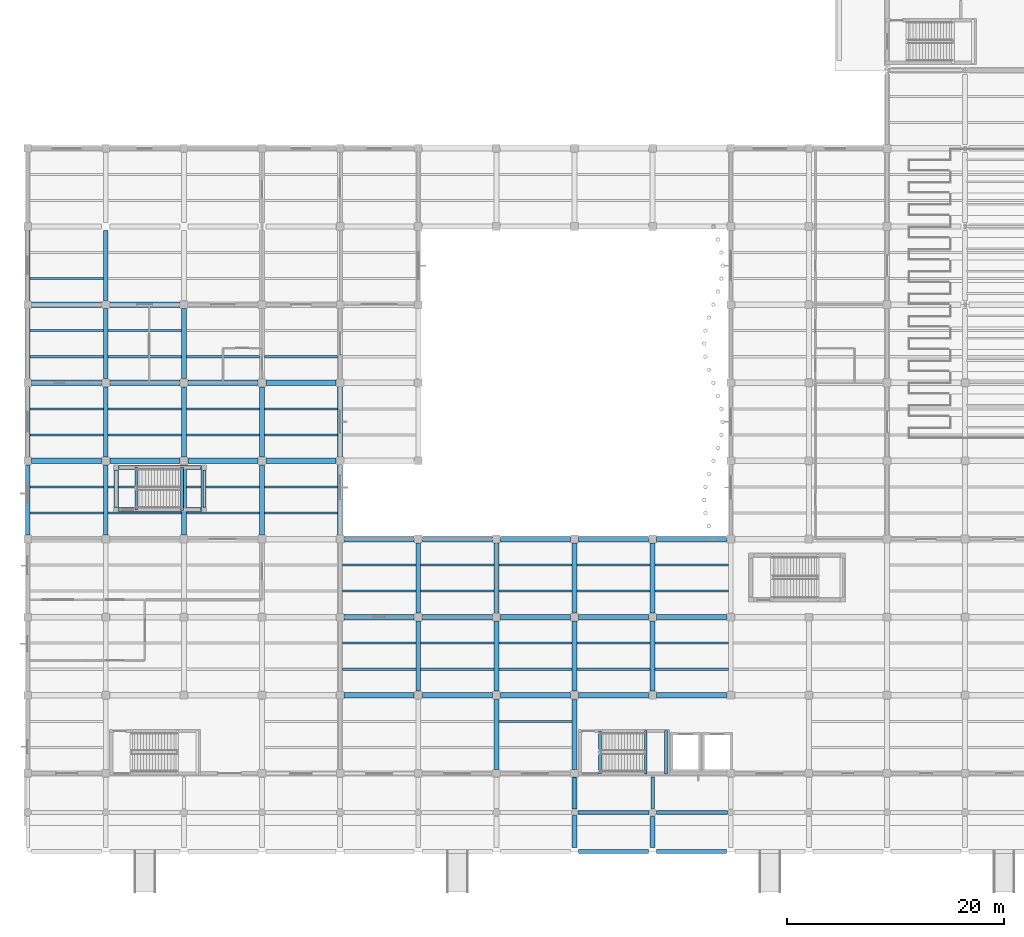
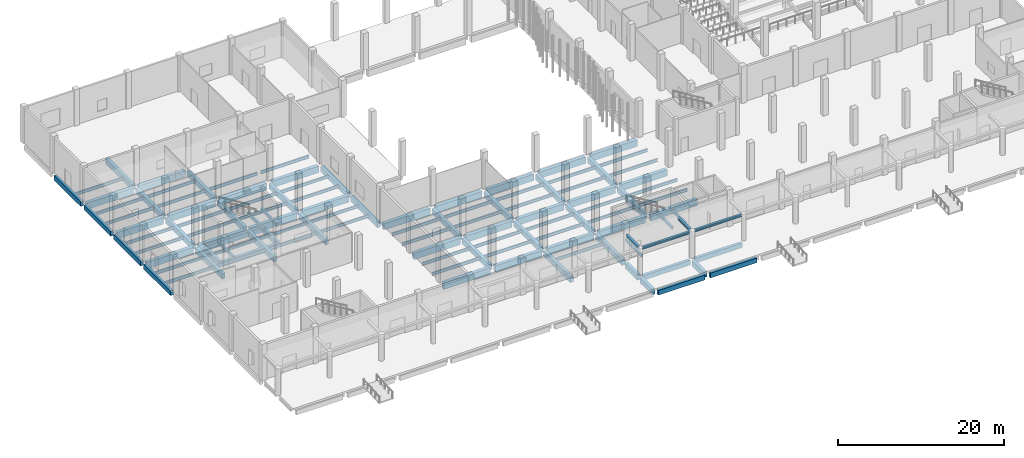
# One storey, part 14 of 46: 115 beams.
"""IFC4 building model written with IfcOpenShell, lengths in metres."""

from ifc_helpers import new_model, si_unit, direction, frame, origin, origin_2d, place, context, subcontext, project, spatial, rectangle, i_section, extrude, material, material_profile, profile_set, type_object, element, save


model = new_model("IFC4")

# Units and contexts
model_context = context("Model", 3, precision=1e-05, world=origin(), true_north=direction((0.0, 1.0)))
body_context = subcontext(model_context, "Body", "Model", "MODEL_VIEW")
ifc_project = project(units=[si_unit("LENGTHUNIT", "METRE"), si_unit("AREAUNIT", "SQUARE_METRE"), si_unit("VOLUMEUNIT", "CUBIC_METRE"), si_unit("PLANEANGLEUNIT", "RADIAN"), si_unit("MASSUNIT", "GRAM", prefix="KILO"), si_unit("THERMODYNAMICTEMPERATUREUNIT", "KELVIN"), si_unit("POWERUNIT", "WATT")], contexts=[model_context])

# Site, building, storey
site_placement = place(None, origin())
site = spatial("IfcSite", under=ifc_project, at=site_placement, CompositionType="ELEMENT")
building_placement = place(site_placement, origin())
building = spatial("IfcBuilding", under=site, at=building_placement, Name="Kaldorven Railside Theatre", CompositionType="ELEMENT")
storey_placement = place(building_placement, origin())
storey = spatial("IfcBuildingStorey", under=building, at=storey_placement, Name="L00", CompositionType="ELEMENT", Elevation=0.0)

# Beams
ifc_material_1 = material(Name="Steel S355", Category="steel")
ifc_material_profile_1 = material_profile(ifc_material_1, i_section(OverallWidth=0.300048828125, OverallDepth=0.340087890625, WebThickness=0.011962890625, FlangeThickness=0.021484375, at=origin_2d()), Name="HEB 340")
ifc_profile_set_1 = profile_set([ifc_material_profile_1], Name="Steel S355")
beam_type_1 = type_object("IfcBeamType", Name="BM-HEB340", PredefinedType="SPANDREL", material=ifc_profile_set_1)
beam_1_placement = place(storey_placement, frame((58.39990234375, 15.89990234375, 3.739990234375), z_axis=(0.0, 1.0, 0.0), x_axis=(-1.0, 0.0, 0.0)))
element("IfcBeam", 1, at=beam_1_placement, inside=storey, type_object=beam_type_1, Name="Forecourt Canopy Outrigger Beam CANB-08", PredefinedType="SPANDREL", context=body_context, shape_type="SweptSolid", body=[
    extrude(i_section(OverallWidth=0.300048828125, OverallDepth=0.340087890625, WebThickness=0.011962890625, FlangeThickness=0.021484375, at=origin_2d()), origin(), (0.0, 0.0, 1.0), 2.9501953125),
])
beam_2_placement = place(storey_placement, frame((65.60009765625, 15.949951171875, 3.739990234375), z_axis=(0.0, 1.0, 0.0), x_axis=(-1.0, 0.0, 0.0)))
element("IfcBeam", 2, at=beam_2_placement, inside=storey, type_object=beam_type_1, Name="Forecourt Canopy Outrigger Beam CANB-09", PredefinedType="SPANDREL", context=body_context, shape_type="SweptSolid", body=[
    extrude(i_section(OverallWidth=0.300048828125, OverallDepth=0.340087890625, WebThickness=0.011962890625, FlangeThickness=0.021484375, at=origin_2d()), origin(), (0.0, 0.0, 1.0), 2.900146484375),
])
for number, where, z_axis, x_axis, name in (
    (3, (58.699951171875, 15.60009765625, 3.739990234375), (1.0, 0.0, 0.0), (0.0, 1.0, 0.0), "Forecourt Canopy Front Edge Girder CANE-08"),
    (4, (65.949951171875, 15.60009765625, 3.739990234375), (1.0, 0.0, 0.0), (0.0, 1.0, 0.0), "Forecourt Canopy Front Edge Girder CANE-09"),
):
    element("IfcBeam", number, at=place(storey_placement, frame(where, z_axis=z_axis, x_axis=x_axis)), inside=storey, type_object=beam_type_1, Name=name, PredefinedType="SPANDREL", context=body_context, shape_type="SweptSolid", body=[
        extrude(i_section(OverallWidth=0.300048828125, OverallDepth=0.340087890625, WebThickness=0.011962890625, FlangeThickness=0.021484375, at=origin_2d()), origin(), (0.0, 0.0, 1.0), 6.550048828125),
    ])
ifc_material_profile_2 = material_profile(ifc_material_1, i_section(OverallWidth=0.18994140625, OverallDepth=0.449951171875, WebThickness=0.009521484375, FlangeThickness=0.0146484375, at=origin_2d()), Name="IPE 450")
ifc_profile_set_2 = profile_set([ifc_material_profile_2], Name="Steel S355")
beam_type_2 = type_object("IfcBeamType", Name="BM-IPE450", PredefinedType="JOIST", material=ifc_profile_set_2)
for number, where, z_axis, x_axis, name in (
    (5, (51.425048828125, 24.0, -0.544921875), (1.0, 0.0, 0.0), (0.0, 1.0, 0.0), "L00 Secondary Floor Joist JG-L00-051-0240"),
    (6, (37.02490234375, 28.800048828125, -0.544921875), (1.0, 0.0, 0.0), (0.0, 1.0, 0.0), "L00 Secondary Floor Joist JG-L00-036-0288"),
    (7, (37.02490234375, 31.199951171875, -0.544921875), (1.0, 0.0, 0.0), (0.0, 1.0, 0.0), "L00 Secondary Floor Joist JG-L00-036-0312"),
    (8, (44.22509765625, 28.800048828125, -0.544921875), (1.0, 0.0, 0.0), (0.0, 1.0, 0.0), "L00 Secondary Floor Joist JG-L00-044-0288"),
    (9, (44.22509765625, 31.199951171875, -0.544921875), (1.0, 0.0, 0.0), (0.0, 1.0, 0.0), "L00 Secondary Floor Joist JG-L00-044-0312"),
    (10, (51.425048828125, 28.800048828125, -0.544921875), (1.0, 0.0, 0.0), (0.0, 1.0, 0.0), "L00 Secondary Floor Joist JG-L00-051-0288"),
    (11, (51.425048828125, 31.199951171875, -0.544921875), (1.0, 0.0, 0.0), (0.0, 1.0, 0.0), "L00 Secondary Floor Joist JG-L00-051-0312"),
    (12, (58.625, 28.800048828125, -0.544921875), (1.0, 0.0, 0.0), (0.0, 1.0, 0.0), "L00 Secondary Floor Joist JG-L00-058-0288"),
    (13, (58.625, 31.199951171875, -0.544921875), (1.0, 0.0, 0.0), (0.0, 1.0, 0.0), "L00 Secondary Floor Joist JG-L00-058-0312"),
    (14, (65.824951171875, 28.800048828125, -0.544921875), (1.0, 0.0, 0.0), (0.0, 1.0, 0.0), "L00 Secondary Floor Joist JG-L00-065-0288"),
    (15, (65.824951171875, 31.199951171875, -0.544921875), (1.0, 0.0, 0.0), (0.0, 1.0, 0.0), "L00 Secondary Floor Joist JG-L00-065-0312"),
    (16, (37.02490234375, 36.0, -0.544921875), (1.0, 0.0, 0.0), (0.0, 1.0, 0.0), "L00 Secondary Floor Joist JG-L00-036-0360"),
    (17, (37.02490234375, 38.39990234375, -0.544921875), (1.0, 0.0, 0.0), (0.0, 1.0, 0.0), "L00 Secondary Floor Joist JG-L00-036-0384"),
    (18, (44.22509765625, 36.0, -0.544921875), (1.0, 0.0, 0.0), (0.0, 1.0, 0.0), "L00 Secondary Floor Joist JG-L00-044-0360"),
    (19, (44.22509765625, 38.39990234375, -0.544921875), (1.0, 0.0, 0.0), (0.0, 1.0, 0.0), "L00 Secondary Floor Joist JG-L00-044-0384"),
    (20, (51.425048828125, 36.0, -0.544921875), (1.0, 0.0, 0.0), (0.0, 1.0, 0.0), "L00 Secondary Floor Joist JG-L00-051-0360"),
    (21, (51.425048828125, 38.39990234375, -0.544921875), (1.0, 0.0, 0.0), (0.0, 1.0, 0.0), "L00 Secondary Floor Joist JG-L00-051-0384"),
    (22, (58.625, 36.0, -0.544921875), (1.0, 0.0, 0.0), (0.0, 1.0, 0.0), "L00 Secondary Floor Joist JG-L00-058-0360"),
    (23, (58.625, 38.39990234375, -0.544921875), (1.0, 0.0, 0.0), (0.0, 1.0, 0.0), "L00 Secondary Floor Joist JG-L00-058-0384"),
    (24, (65.824951171875, 36.0, -0.544921875), (1.0, 0.0, 0.0), (0.0, 1.0, 0.0), "L00 Secondary Floor Joist JG-L00-065-0360"),
    (25, (65.824951171875, 38.39990234375, -0.544921875), (1.0, 0.0, 0.0), (0.0, 1.0, 0.0), "L00 Secondary Floor Joist JG-L00-065-0384"),
):
    element("IfcBeam", number, at=place(storey_placement, frame(where, z_axis=z_axis, x_axis=x_axis)), inside=storey, type_object=beam_type_2, Name=name, PredefinedType="JOIST", context=body_context, shape_type="SweptSolid", body=[
        extrude(i_section(OverallWidth=0.18994140625, OverallDepth=0.449951171875, WebThickness=0.009521484375, FlangeThickness=0.0146484375, at=origin_2d()), origin(), (0.0, 0.0, 1.0), 6.75),
    ])
for number, where, z_axis, x_axis, name in (
    (26, (8.199951171875, 43.199951171875, -0.52490234375), (1.0, 0.0, 0.0), (0.0, 1.0, 0.0), "L00 Secondary Floor Joist JG-L00-008-0432"),
    (27, (8.199951171875, 45.60009765625, -0.52490234375), (1.0, 0.0, 0.0), (0.0, 1.0, 0.0), "L00 Secondary Floor Joist JG-L00-008-0456"),
):
    element("IfcBeam", number, at=place(storey_placement, frame(where, z_axis=z_axis, x_axis=x_axis)), inside=storey, type_object=beam_type_2, Name=name, PredefinedType="JOIST", context=body_context, shape_type="SweptSolid", body=[
        extrude(i_section(OverallWidth=0.18994140625, OverallDepth=0.449951171875, WebThickness=0.009521484375, FlangeThickness=0.0146484375, at=origin_2d()), origin(), (0.0, 0.0, 1.0), 6.775146484375),
    ])
for number, where, z_axis, x_axis, name in (
    (28, (15.425048828125, 43.199951171875, -0.52490234375), (1.0, 0.0, 0.0), (0.0, 1.0, 0.0), "L00 Secondary Floor Joist JG-L00-015-0432"),
    (29, (15.425048828125, 45.60009765625, -0.52490234375), (1.0, 0.0, 0.0), (0.0, 1.0, 0.0), "L00 Secondary Floor Joist JG-L00-015-0456"),
    (30, (22.625, 43.199951171875, -0.52490234375), (1.0, 0.0, 0.0), (0.0, 1.0, 0.0), "L00 Secondary Floor Joist JG-L00-022-0432"),
    (31, (22.625, 45.60009765625, -0.52490234375), (1.0, 0.0, 0.0), (0.0, 1.0, 0.0), "L00 Secondary Floor Joist JG-L00-022-0456"),
    (32, (29.824951171875, 43.199951171875, -0.52490234375), (1.0, 0.0, 0.0), (0.0, 1.0, 0.0), "L00 Secondary Floor Joist JG-L00-029-0432"),
    (33, (29.824951171875, 45.60009765625, -0.52490234375), (1.0, 0.0, 0.0), (0.0, 1.0, 0.0), "L00 Secondary Floor Joist JG-L00-029-0456"),
):
    element("IfcBeam", number, at=place(storey_placement, frame(where, z_axis=z_axis, x_axis=x_axis)), inside=storey, type_object=beam_type_2, Name=name, PredefinedType="JOIST", context=body_context, shape_type="SweptSolid", body=[
        extrude(i_section(OverallWidth=0.18994140625, OverallDepth=0.449951171875, WebThickness=0.009521484375, FlangeThickness=0.0146484375, at=origin_2d()), origin(), (0.0, 0.0, 1.0), 6.75),
    ])
for number, where, z_axis, x_axis, name in (
    (34, (8.199951171875, 50.39990234375, -0.52490234375), (1.0, 0.0, 0.0), (0.0, 1.0, 0.0), "L00 Secondary Floor Joist JG-L00-008-0504"),
    (35, (8.199951171875, 52.800048828125, -0.52490234375), (1.0, 0.0, 0.0), (0.0, 1.0, 0.0), "L00 Secondary Floor Joist JG-L00-008-0528"),
):
    element("IfcBeam", number, at=place(storey_placement, frame(where, z_axis=z_axis, x_axis=x_axis)), inside=storey, type_object=beam_type_2, Name=name, PredefinedType="JOIST", context=body_context, shape_type="SweptSolid", body=[
        extrude(i_section(OverallWidth=0.18994140625, OverallDepth=0.449951171875, WebThickness=0.009521484375, FlangeThickness=0.0146484375, at=origin_2d()), origin(), (0.0, 0.0, 1.0), 6.775146484375),
    ])
for number, where, z_axis, x_axis, name in (
    (36, (15.425048828125, 50.39990234375, -0.52490234375), (1.0, 0.0, 0.0), (0.0, 1.0, 0.0), "L00 Secondary Floor Joist JG-L00-015-0504"),
    (37, (15.425048828125, 52.800048828125, -0.52490234375), (1.0, 0.0, 0.0), (0.0, 1.0, 0.0), "L00 Secondary Floor Joist JG-L00-015-0528"),
    (38, (22.625, 50.39990234375, -0.52490234375), (1.0, 0.0, 0.0), (0.0, 1.0, 0.0), "L00 Secondary Floor Joist JG-L00-022-0504"),
    (39, (22.625, 52.800048828125, -0.52490234375), (1.0, 0.0, 0.0), (0.0, 1.0, 0.0), "L00 Secondary Floor Joist JG-L00-022-0528"),
    (40, (29.824951171875, 50.39990234375, -0.52490234375), (1.0, 0.0, 0.0), (0.0, 1.0, 0.0), "L00 Secondary Floor Joist JG-L00-029-0504"),
    (41, (29.824951171875, 52.800048828125, -0.52490234375), (1.0, 0.0, 0.0), (0.0, 1.0, 0.0), "L00 Secondary Floor Joist JG-L00-029-0528"),
):
    element("IfcBeam", number, at=place(storey_placement, frame(where, z_axis=z_axis, x_axis=x_axis)), inside=storey, type_object=beam_type_2, Name=name, PredefinedType="JOIST", context=body_context, shape_type="SweptSolid", body=[
        extrude(i_section(OverallWidth=0.18994140625, OverallDepth=0.449951171875, WebThickness=0.009521484375, FlangeThickness=0.0146484375, at=origin_2d()), origin(), (0.0, 0.0, 1.0), 6.75),
    ])
for number, where, z_axis, x_axis, name in (
    (42, (8.199951171875, 57.60009765625, -0.52490234375), (1.0, 0.0, 0.0), (0.0, 1.0, 0.0), "L00 Secondary Floor Joist JG-L00-008-0576"),
    (43, (8.199951171875, 60.0, -0.52490234375), (1.0, 0.0, 0.0), (0.0, 1.0, 0.0), "L00 Secondary Floor Joist JG-L00-008-0600"),
):
    element("IfcBeam", number, at=place(storey_placement, frame(where, z_axis=z_axis, x_axis=x_axis)), inside=storey, type_object=beam_type_2, Name=name, PredefinedType="JOIST", context=body_context, shape_type="SweptSolid", body=[
        extrude(i_section(OverallWidth=0.18994140625, OverallDepth=0.449951171875, WebThickness=0.009521484375, FlangeThickness=0.0146484375, at=origin_2d()), origin(), (0.0, 0.0, 1.0), 6.775146484375),
    ])
for number, where, z_axis, x_axis, name in (
    (44, (15.425048828125, 57.60009765625, -0.52490234375), (1.0, 0.0, 0.0), (0.0, 1.0, 0.0), "L00 Secondary Floor Joist JG-L00-015-0576"),
    (45, (15.425048828125, 60.0, -0.52490234375), (1.0, 0.0, 0.0), (0.0, 1.0, 0.0), "L00 Secondary Floor Joist JG-L00-015-0600"),
    (46, (22.625, 57.60009765625, -0.52490234375), (1.0, 0.0, 0.0), (0.0, 1.0, 0.0), "L00 Secondary Floor Joist JG-L00-022-0576"),
    (47, (29.824951171875, 57.60009765625, -0.52490234375), (1.0, 0.0, 0.0), (0.0, 1.0, 0.0), "L00 Secondary Floor Joist JG-L00-029-0576"),
):
    element("IfcBeam", number, at=place(storey_placement, frame(where, z_axis=z_axis, x_axis=x_axis)), inside=storey, type_object=beam_type_2, Name=name, PredefinedType="JOIST", context=body_context, shape_type="SweptSolid", body=[
        extrude(i_section(OverallWidth=0.18994140625, OverallDepth=0.449951171875, WebThickness=0.009521484375, FlangeThickness=0.0146484375, at=origin_2d()), origin(), (0.0, 0.0, 1.0), 6.75),
    ])
beam_3_placement = place(storey_placement, frame((8.199951171875, 64.800048828125, -0.52490234375), z_axis=(1.0, 0.0, 0.0), x_axis=(0.0, 1.0, 0.0)))
element("IfcBeam", 48, at=beam_3_placement, inside=storey, type_object=beam_type_2, Name="L00 Secondary Floor Joist JG-L00-008-0648", PredefinedType="JOIST", context=body_context, shape_type="SweptSolid", body=[
    extrude(i_section(OverallWidth=0.18994140625, OverallDepth=0.449951171875, WebThickness=0.009521484375, FlangeThickness=0.0146484375, at=origin_2d()), origin(), (0.0, 0.0, 1.0), 6.775146484375),
])
ifc_material_2 = material(Name="Concrete C40/50", Category="concrete")
ifc_material_profile_3 = material_profile(ifc_material_2, rectangle(XDim=0.25, YDim=0.39990234375, at=origin_2d()), Name="RC 250x400")
ifc_profile_set_3 = profile_set([ifc_material_profile_3], Name="Concrete C40/50")
beam_type_3 = type_object("IfcBeamType", Name="BM-RC250x400", PredefinedType="LINTEL", material=ifc_profile_set_3)
beam_4_placement = place(storey_placement, frame((18.0, 43.469970703125, -0.344970703125), z_axis=(0.0, 1.0, 0.0), x_axis=(-1.0, 0.0, 0.0)))
element("IfcBeam", 49, at=beam_4_placement, inside=storey, type_object=beam_type_3, Name="Stair ST-02 L00 Landing Trimmer Beam", PredefinedType="LINTEL", context=body_context, shape_type="SweptSolid", body=[
    extrude(rectangle(XDim=0.25, YDim=0.39990234375, at=origin_2d()), origin(), (0.0, 0.0, 1.0), 3.9599609375),
])
for number, where, z_axis, x_axis, name in (
    (50, (22.22509765625, 43.43994140625, 2.300048828125), (0.0, 1.0, 0.0), (-1.0, 0.0, 0.0), "Stair ST-02 L00 Half-Landing Bearer"),
    (51, (24.080078125, 43.43994140625, 2.300048828125), (0.0, 1.0, 0.0), (-1.0, 0.0, 0.0), "Stair ST-02 L00 Half-Landing Bearer"),
):
    element("IfcBeam", number, at=place(storey_placement, frame(where, z_axis=z_axis, x_axis=x_axis)), inside=storey, type_object=beam_type_3, Name=name, PredefinedType="LINTEL", context=body_context, shape_type="SweptSolid", body=[
        extrude(rectangle(XDim=0.25, YDim=0.39990234375, at=origin_2d()), origin(), (0.0, 0.0, 1.0), 4.02001953125),
    ])
beam_5_placement = place(storey_placement, frame((60.75, 19.169921875, -0.344970703125), z_axis=(0.0, 1.0, 0.0), x_axis=(-1.0, 0.0, 0.0)))
element("IfcBeam", 52, at=beam_5_placement, inside=storey, type_object=beam_type_3, Name="Stair ST-03 L00 Landing Trimmer Beam", PredefinedType="LINTEL", context=body_context, shape_type="SweptSolid", body=[
    extrude(rectangle(XDim=0.25, YDim=0.39990234375, at=origin_2d()), origin(), (0.0, 0.0, 1.0), 3.9599609375),
])
for number, where, z_axis, x_axis, name in (
    (53, (64.97509765625, 19.139892578125, 2.300048828125), (0.0, 1.0, 0.0), (-1.0, 0.0, 0.0), "Stair ST-03 L00 Half-Landing Bearer"),
    (54, (66.830078125, 19.139892578125, 2.300048828125), (0.0, 1.0, 0.0), (-1.0, 0.0, 0.0), "Stair ST-03 L00 Half-Landing Bearer"),
):
    element("IfcBeam", number, at=place(storey_placement, frame(where, z_axis=z_axis, x_axis=x_axis)), inside=storey, type_object=beam_type_3, Name=name, PredefinedType="LINTEL", context=body_context, shape_type="SweptSolid", body=[
        extrude(rectangle(XDim=0.25, YDim=0.39990234375, at=origin_2d()), origin(), (0.0, 0.0, 1.0), 4.02001953125),
    ])
ifc_material_profile_4 = material_profile(ifc_material_2, rectangle(XDim=0.39990234375, YDim=0.699951171875, at=origin_2d()), Name="RC 400x700")
ifc_profile_set_4 = profile_set([ifc_material_profile_4], Name="Concrete C40/50")
beam_type_4 = type_object("IfcBeamType", Name="BM-RC400x700", PredefinedType="BEAM", material=ifc_profile_set_4)
beam_6_placement = place(storey_placement, frame((58.77490234375, 12.0, -0.60009765625), z_axis=(1.0, 0.0, 0.0), x_axis=(0.0, 1.0, 0.0)))
element("IfcBeam", 55, at=beam_6_placement, inside=storey, type_object=beam_type_4, Name="L00 Girder BGX-L00-058-012", PredefinedType="BEAM", context=body_context, shape_type="SweptSolid", body=[
    extrude(rectangle(XDim=0.39990234375, YDim=0.699951171875, at=origin_2d()), origin(), (0.0, 0.0, 1.0), 6.4501953125),
])
beam_7_placement = place(storey_placement, frame((65.97509765625, 12.0, -0.60009765625), z_axis=(1.0, 0.0, 0.0), x_axis=(0.0, 1.0, 0.0)))
element("IfcBeam", 56, at=beam_7_placement, inside=storey, type_object=beam_type_4, Name="L00 Girder BGX-L00-065-012", PredefinedType="BEAM", context=body_context, shape_type="SweptSolid", body=[
    extrude(rectangle(XDim=0.39990234375, YDim=0.699951171875, at=origin_2d()), origin(), (0.0, 0.0, 1.0), 6.449951171875),
])
for number, where, z_axis, x_axis, name in (
    (57, (58.699951171875, 15.60009765625, -0.60009765625), (1.0, 0.0, 0.0), (0.0, 1.0, 0.0), "L00 Girder BGX-L00-058-015"),
    (58, (65.949951171875, 15.60009765625, -0.60009765625), (1.0, 0.0, 0.0), (0.0, 1.0, 0.0), "L00 Girder BGX-L00-065-015"),
):
    element("IfcBeam", number, at=place(storey_placement, frame(where, z_axis=z_axis, x_axis=x_axis)), inside=storey, type_object=beam_type_4, Name=name, PredefinedType="BEAM", context=body_context, shape_type="SweptSolid", body=[
        extrude(rectangle(XDim=0.39990234375, YDim=0.699951171875, at=origin_2d()), origin(), (0.0, 0.0, 1.0), 6.550048828125),
    ])
for number, where, z_axis, x_axis, name in (
    (59, (8.0, 41.175048828125, -0.64990234375), (0.0, 1.0, 0.0), (-1.0, 0.0, 0.0), "L00 Girder BGY-L00-008-040-72"),
    (60, (8.0, 48.375, -0.64990234375), (0.0, 1.0, 0.0), (-1.0, 0.0, 0.0), "L00 Girder BGY-L00-008-048-72"),
    (61, (8.0, 55.574951171875, -0.64990234375), (0.0, 1.0, 0.0), (-1.0, 0.0, 0.0), "L00 Girder BGY-L00-008-055-72"),
):
    element("IfcBeam", number, at=place(storey_placement, frame(where, z_axis=z_axis, x_axis=x_axis)), inside=storey, type_object=beam_type_4, Name=name, PredefinedType="BEAM", context=body_context, shape_type="SweptSolid", body=[
        extrude(rectangle(XDim=0.39990234375, YDim=0.699951171875, at=origin_2d()), origin(), (0.0, 0.0, 1.0), 6.449951171875),
    ])
beam_8_placement = place(storey_placement, frame((8.0, 62.77490234375, -0.64990234375), z_axis=(0.0, 1.0, 0.0), x_axis=(-1.0, 0.0, 0.0)))
element("IfcBeam", 62, at=beam_8_placement, inside=storey, type_object=beam_type_4, Name="L00 Girder BGY-L00-008-062-72", PredefinedType="BEAM", context=body_context, shape_type="SweptSolid", body=[
    extrude(rectangle(XDim=0.39990234375, YDim=0.699951171875, at=origin_2d()), origin(), (0.0, 0.0, 1.0), 6.4501953125),
])
beam_9_placement = place(storey_placement, frame((16.375, 43.5, -0.64990234375), z_axis=(1.0, 0.0, 0.0), x_axis=(0.0, 1.0, 0.0)))
element("IfcBeam", 63, at=beam_9_placement, inside=storey, type_object=beam_type_4, Name="Core ST-02 L00 Ring Girder", PredefinedType="BEAM", context=body_context, shape_type="SweptSolid", body=[
    extrude(rectangle(XDim=0.39990234375, YDim=0.699951171875, at=origin_2d()), origin(), (0.0, 0.0, 1.0), 7.64990234375),
])
beam_10_placement = place(storey_placement, frame((24.25, 43.72509765625, -0.64990234375), z_axis=(0.0, 1.0, 0.0), x_axis=(-1.0, 0.0, 0.0)))
element("IfcBeam", 64, at=beam_10_placement, inside=storey, type_object=beam_type_4, Name="Core ST-02 L00 Ring Girder", PredefinedType="BEAM", context=body_context, shape_type="SweptSolid", body=[
    extrude(rectangle(XDim=0.39990234375, YDim=0.699951171875, at=origin_2d()), origin(), (0.0, 0.0, 1.0), 3.449951171875),
])
beam_11_placement = place(storey_placement, frame((24.02490234375, 47.39990234375, -0.64990234375), z_axis=(-1.0, 0.0, 0.0), x_axis=(0.0, -1.0, 0.0)))
element("IfcBeam", 65, at=beam_11_placement, inside=storey, type_object=beam_type_4, Name="Core ST-02 L00 Ring Girder", PredefinedType="BEAM", context=body_context, shape_type="SweptSolid", body=[
    extrude(rectangle(XDim=0.39990234375, YDim=0.699951171875, at=origin_2d()), origin(), (0.0, 0.0, 1.0), 7.64990234375),
])
beam_12_placement = place(storey_placement, frame((16.14990234375, 47.175048828125, -0.64990234375), z_axis=(0.0, -1.0, 0.0), x_axis=(1.0, 0.0, 0.0)))
element("IfcBeam", 66, at=beam_12_placement, inside=storey, type_object=beam_type_4, Name="Core ST-02 L00 Ring Girder", PredefinedType="BEAM", context=body_context, shape_type="SweptSolid", body=[
    extrude(rectangle(XDim=0.39990234375, YDim=0.699951171875, at=origin_2d()), origin(), (0.0, 0.0, 1.0), 3.449951171875),
])
ifc_material_profile_5 = material_profile(ifc_material_2, rectangle(XDim=0.449951171875, YDim=0.800048828125, at=origin_2d()), Name="RC 450x800")
ifc_profile_set_5 = profile_set([ifc_material_profile_5], Name="Concrete C40/50")
beam_type_5 = type_object("IfcBeamType", Name="BM-RC450x800", PredefinedType="BEAM", material=ifc_profile_set_5)
beam_13_placement = place(storey_placement, frame((58.39990234375, 12.375, -0.64990234375), z_axis=(0.0, 1.0, 0.0), x_axis=(-1.0, 0.0, 0.0)))
element("IfcBeam", 67, at=beam_13_placement, inside=storey, type_object=beam_type_5, Name="L00 Girder BGY-L00-058-012-36", PredefinedType="BEAM", context=body_context, shape_type="SweptSolid", body=[
    extrude(rectangle(XDim=0.449951171875, YDim=0.800048828125, at=origin_2d()), origin(), (0.0, 0.0, 1.0), 2.925048828125),
])
beam_14_placement = place(storey_placement, frame((65.60009765625, 12.375, -0.64990234375), z_axis=(0.0, 1.0, 0.0), x_axis=(-1.0, 0.0, 0.0)))
element("IfcBeam", 68, at=beam_14_placement, inside=storey, type_object=beam_type_5, Name="L00 Girder BGY-L00-065-012-36", PredefinedType="BEAM", context=body_context, shape_type="SweptSolid", body=[
    extrude(rectangle(XDim=0.449951171875, YDim=0.800048828125, at=origin_2d()), origin(), (0.0, 0.0, 1.0), 2.875),
])
beam_15_placement = place(storey_placement, frame((58.39990234375, 15.89990234375, -0.64990234375), z_axis=(0.0, 1.0, 0.0), x_axis=(-1.0, 0.0, 0.0)))
element("IfcBeam", 69, at=beam_15_placement, inside=storey, type_object=beam_type_5, Name="L00 Girder BGY-L00-058-015-36", PredefinedType="BEAM", context=body_context, shape_type="SweptSolid", body=[
    extrude(rectangle(XDim=0.449951171875, YDim=0.800048828125, at=origin_2d()), origin(), (0.0, 0.0, 1.0), 2.925048828125),
])
for number, where, z_axis, x_axis, name in (
    (70, (51.199951171875, 19.574951171875, -0.719970703125), (0.0, 1.0, 0.0), (-1.0, 0.0, 0.0), "L00 Girder BGY-L00-051-019-72"),
    (71, (58.39990234375, 19.574951171875, -0.719970703125), (0.0, 1.0, 0.0), (-1.0, 0.0, 0.0), "L00 Girder BGY-L00-058-019-72"),
):
    element("IfcBeam", number, at=place(storey_placement, frame(where, z_axis=z_axis, x_axis=x_axis)), inside=storey, type_object=beam_type_5, Name=name, PredefinedType="BEAM", context=body_context, shape_type="SweptSolid", body=[
        extrude(rectangle(XDim=0.449951171875, YDim=0.800048828125, at=origin_2d()), origin(), (0.0, 0.0, 1.0), 6.449951171875),
    ])
for number, where, z_axis, x_axis, name in (
    (72, (44.0, 26.77490234375, -0.719970703125), (0.0, 1.0, 0.0), (-1.0, 0.0, 0.0), "L00 Girder BGY-L00-044-026-72"),
    (73, (51.199951171875, 26.77490234375, -0.719970703125), (0.0, 1.0, 0.0), (-1.0, 0.0, 0.0), "L00 Girder BGY-L00-051-026-72"),
    (74, (58.39990234375, 26.77490234375, -0.719970703125), (0.0, 1.0, 0.0), (-1.0, 0.0, 0.0), "L00 Girder BGY-L00-058-026-72"),
    (75, (65.60009765625, 26.77490234375, -0.719970703125), (0.0, 1.0, 0.0), (-1.0, 0.0, 0.0), "L00 Girder BGY-L00-065-026-72"),
):
    element("IfcBeam", number, at=place(storey_placement, frame(where, z_axis=z_axis, x_axis=x_axis)), inside=storey, type_object=beam_type_5, Name=name, PredefinedType="BEAM", context=body_context, shape_type="SweptSolid", body=[
        extrude(rectangle(XDim=0.449951171875, YDim=0.800048828125, at=origin_2d()), origin(), (0.0, 0.0, 1.0), 6.4501953125),
    ])
for number, where, z_axis, x_axis, name in (
    (76, (44.0, 33.97509765625, -0.719970703125), (0.0, 1.0, 0.0), (-1.0, 0.0, 0.0), "L00 Girder BGY-L00-044-033-72"),
    (77, (51.199951171875, 33.97509765625, -0.719970703125), (0.0, 1.0, 0.0), (-1.0, 0.0, 0.0), "L00 Girder BGY-L00-051-033-72"),
    (78, (58.39990234375, 33.97509765625, -0.719970703125), (0.0, 1.0, 0.0), (-1.0, 0.0, 0.0), "L00 Girder BGY-L00-058-033-72"),
    (79, (65.60009765625, 33.97509765625, -0.719970703125), (0.0, 1.0, 0.0), (-1.0, 0.0, 0.0), "L00 Girder BGY-L00-065-033-72"),
    (80, (15.199951171875, 41.175048828125, -0.699951171875), (0.0, 1.0, 0.0), (-1.0, 0.0, 0.0), "L00 Girder BGY-L00-015-040-72"),
    (81, (22.39990234375, 41.175048828125, -0.699951171875), (0.0, 1.0, 0.0), (-1.0, 0.0, 0.0), "L00 Girder BGY-L00-022-040-72"),
    (82, (29.60009765625, 41.175048828125, -0.699951171875), (0.0, 1.0, 0.0), (-1.0, 0.0, 0.0), "L00 Girder BGY-L00-029-040-72"),
    (83, (36.800048828125, 41.175048828125, -0.699951171875), (0.0, 1.0, 0.0), (-1.0, 0.0, 0.0), "L00 Girder BGY-L00-036-040-72"),
    (84, (15.199951171875, 48.375, -0.699951171875), (0.0, 1.0, 0.0), (-1.0, 0.0, 0.0), "L00 Girder BGY-L00-015-048-72"),
    (85, (22.39990234375, 48.375, -0.699951171875), (0.0, 1.0, 0.0), (-1.0, 0.0, 0.0), "L00 Girder BGY-L00-022-048-72"),
    (86, (29.60009765625, 48.375, -0.699951171875), (0.0, 1.0, 0.0), (-1.0, 0.0, 0.0), "L00 Girder BGY-L00-029-048-72"),
    (87, (36.800048828125, 48.375, -0.699951171875), (0.0, 1.0, 0.0), (-1.0, 0.0, 0.0), "L00 Girder BGY-L00-036-048-72"),
    (88, (15.199951171875, 55.574951171875, -0.699951171875), (0.0, 1.0, 0.0), (-1.0, 0.0, 0.0), "L00 Girder BGY-L00-015-055-72"),
    (89, (22.39990234375, 55.574951171875, -0.699951171875), (0.0, 1.0, 0.0), (-1.0, 0.0, 0.0), "L00 Girder BGY-L00-022-055-72"),
):
    element("IfcBeam", number, at=place(storey_placement, frame(where, z_axis=z_axis, x_axis=x_axis)), inside=storey, type_object=beam_type_5, Name=name, PredefinedType="BEAM", context=body_context, shape_type="SweptSolid", body=[
        extrude(rectangle(XDim=0.449951171875, YDim=0.800048828125, at=origin_2d()), origin(), (0.0, 0.0, 1.0), 6.449951171875),
    ])
beam_16_placement = place(storey_placement, frame((15.199951171875, 62.77490234375, -0.699951171875), z_axis=(0.0, 1.0, 0.0), x_axis=(-1.0, 0.0, 0.0)))
element("IfcBeam", 90, at=beam_16_placement, inside=storey, type_object=beam_type_5, Name="L00 Girder BGY-L00-015-062-72", PredefinedType="BEAM", context=body_context, shape_type="SweptSolid", body=[
    extrude(rectangle(XDim=0.449951171875, YDim=0.800048828125, at=origin_2d()), origin(), (0.0, 0.0, 1.0), 6.4501953125),
])
ifc_material_profile_6 = material_profile(ifc_material_2, rectangle(XDim=0.5, YDim=0.949951171875, at=origin_2d()), Name="RC 500x950")
ifc_profile_set_6 = profile_set([ifc_material_profile_6], Name="Concrete C40/50")
beam_type_6 = type_object("IfcBeamType", Name="BM-RC500x950", PredefinedType="BEAM", material=ifc_profile_set_6)
for number, where, z_axis, x_axis, name in (
    (91, (37.175048828125, 26.39990234375, -0.794921875), (1.0, 0.0, 0.0), (0.0, 1.0, 0.0), "L00 Girder BGX-L00-036-026"),
    (92, (44.375, 26.39990234375, -0.794921875), (1.0, 0.0, 0.0), (0.0, 1.0, 0.0), "L00 Girder BGX-L00-044-026"),
    (93, (51.574951171875, 26.39990234375, -0.794921875), (1.0, 0.0, 0.0), (0.0, 1.0, 0.0), "L00 Girder BGX-L00-051-026"),
):
    element("IfcBeam", number, at=place(storey_placement, frame(where, z_axis=z_axis, x_axis=x_axis)), inside=storey, type_object=beam_type_6, Name=name, PredefinedType="BEAM", context=body_context, shape_type="SweptSolid", body=[
        extrude(rectangle(XDim=0.5, YDim=0.949951171875, at=origin_2d()), origin(), (0.0, 0.0, 1.0), 6.449951171875),
    ])
beam_17_placement = place(storey_placement, frame((58.77490234375, 26.39990234375, -0.794921875), z_axis=(1.0, 0.0, 0.0), x_axis=(0.0, 1.0, 0.0)))
element("IfcBeam", 94, at=beam_17_placement, inside=storey, type_object=beam_type_6, Name="L00 Girder BGX-L00-058-026", PredefinedType="BEAM", context=body_context, shape_type="SweptSolid", body=[
    extrude(rectangle(XDim=0.5, YDim=0.949951171875, at=origin_2d()), origin(), (0.0, 0.0, 1.0), 6.4501953125),
])
for number, where, z_axis, x_axis, name in (
    (95, (65.97509765625, 26.39990234375, -0.794921875), (1.0, 0.0, 0.0), (0.0, 1.0, 0.0), "L00 Girder BGX-L00-065-026"),
    (96, (37.175048828125, 33.60009765625, -0.794921875), (1.0, 0.0, 0.0), (0.0, 1.0, 0.0), "L00 Girder BGX-L00-036-033"),
    (97, (44.375, 33.60009765625, -0.794921875), (1.0, 0.0, 0.0), (0.0, 1.0, 0.0), "L00 Girder BGX-L00-044-033"),
    (98, (51.574951171875, 33.60009765625, -0.794921875), (1.0, 0.0, 0.0), (0.0, 1.0, 0.0), "L00 Girder BGX-L00-051-033"),
):
    element("IfcBeam", number, at=place(storey_placement, frame(where, z_axis=z_axis, x_axis=x_axis)), inside=storey, type_object=beam_type_6, Name=name, PredefinedType="BEAM", context=body_context, shape_type="SweptSolid", body=[
        extrude(rectangle(XDim=0.5, YDim=0.949951171875, at=origin_2d()), origin(), (0.0, 0.0, 1.0), 6.449951171875),
    ])
beam_18_placement = place(storey_placement, frame((58.77490234375, 33.60009765625, -0.794921875), z_axis=(1.0, 0.0, 0.0), x_axis=(0.0, 1.0, 0.0)))
element("IfcBeam", 99, at=beam_18_placement, inside=storey, type_object=beam_type_6, Name="L00 Girder BGX-L00-058-033", PredefinedType="BEAM", context=body_context, shape_type="SweptSolid", body=[
    extrude(rectangle(XDim=0.5, YDim=0.949951171875, at=origin_2d()), origin(), (0.0, 0.0, 1.0), 6.4501953125),
])
for number, where, z_axis, x_axis, name in (
    (100, (65.97509765625, 33.60009765625, -0.794921875), (1.0, 0.0, 0.0), (0.0, 1.0, 0.0), "L00 Girder BGX-L00-065-033"),
    (101, (37.175048828125, 40.800048828125, -0.794921875), (1.0, 0.0, 0.0), (0.0, 1.0, 0.0), "L00 Girder BGX-L00-036-040"),
    (102, (44.375, 40.800048828125, -0.794921875), (1.0, 0.0, 0.0), (0.0, 1.0, 0.0), "L00 Girder BGX-L00-044-040"),
    (103, (51.574951171875, 40.800048828125, -0.794921875), (1.0, 0.0, 0.0), (0.0, 1.0, 0.0), "L00 Girder BGX-L00-051-040"),
):
    element("IfcBeam", number, at=place(storey_placement, frame(where, z_axis=z_axis, x_axis=x_axis)), inside=storey, type_object=beam_type_6, Name=name, PredefinedType="BEAM", context=body_context, shape_type="SweptSolid", body=[
        extrude(rectangle(XDim=0.5, YDim=0.949951171875, at=origin_2d()), origin(), (0.0, 0.0, 1.0), 6.449951171875),
    ])
beam_19_placement = place(storey_placement, frame((58.77490234375, 40.800048828125, -0.794921875), z_axis=(1.0, 0.0, 0.0), x_axis=(0.0, 1.0, 0.0)))
element("IfcBeam", 104, at=beam_19_placement, inside=storey, type_object=beam_type_6, Name="L00 Girder BGX-L00-058-040", PredefinedType="BEAM", context=body_context, shape_type="SweptSolid", body=[
    extrude(rectangle(XDim=0.5, YDim=0.949951171875, at=origin_2d()), origin(), (0.0, 0.0, 1.0), 6.4501953125),
])
for number, where, z_axis, x_axis, name in (
    (105, (65.97509765625, 40.800048828125, -0.794921875), (1.0, 0.0, 0.0), (0.0, 1.0, 0.0), "L00 Girder BGX-L00-065-040"),
    (106, (8.375, 48.0, -0.77490234375), (1.0, 0.0, 0.0), (0.0, 1.0, 0.0), "L00 Girder BGX-L00-008-048"),
    (107, (15.574951171875, 48.0, -0.77490234375), (1.0, 0.0, 0.0), (0.0, 1.0, 0.0), "L00 Girder BGX-L00-015-048"),
):
    element("IfcBeam", number, at=place(storey_placement, frame(where, z_axis=z_axis, x_axis=x_axis)), inside=storey, type_object=beam_type_6, Name=name, PredefinedType="BEAM", context=body_context, shape_type="SweptSolid", body=[
        extrude(rectangle(XDim=0.5, YDim=0.949951171875, at=origin_2d()), origin(), (0.0, 0.0, 1.0), 6.449951171875),
    ])
beam_20_placement = place(storey_placement, frame((22.77490234375, 48.0, -0.77490234375), z_axis=(1.0, 0.0, 0.0), x_axis=(0.0, 1.0, 0.0)))
element("IfcBeam", 108, at=beam_20_placement, inside=storey, type_object=beam_type_6, Name="L00 Girder BGX-L00-022-048", PredefinedType="BEAM", context=body_context, shape_type="SweptSolid", body=[
    extrude(rectangle(XDim=0.5, YDim=0.949951171875, at=origin_2d()), origin(), (0.0, 0.0, 1.0), 6.4501953125),
])
for number, where, z_axis, x_axis, name in (
    (109, (29.97509765625, 48.0, -0.77490234375), (1.0, 0.0, 0.0), (0.0, 1.0, 0.0), "L00 Girder BGX-L00-029-048"),
    (110, (8.375, 55.199951171875, -0.77490234375), (1.0, 0.0, 0.0), (0.0, 1.0, 0.0), "L00 Girder BGX-L00-008-055"),
    (111, (15.574951171875, 55.199951171875, -0.77490234375), (1.0, 0.0, 0.0), (0.0, 1.0, 0.0), "L00 Girder BGX-L00-015-055"),
):
    element("IfcBeam", number, at=place(storey_placement, frame(where, z_axis=z_axis, x_axis=x_axis)), inside=storey, type_object=beam_type_6, Name=name, PredefinedType="BEAM", context=body_context, shape_type="SweptSolid", body=[
        extrude(rectangle(XDim=0.5, YDim=0.949951171875, at=origin_2d()), origin(), (0.0, 0.0, 1.0), 6.449951171875),
    ])
beam_21_placement = place(storey_placement, frame((22.77490234375, 55.199951171875, -0.77490234375), z_axis=(1.0, 0.0, 0.0), x_axis=(0.0, 1.0, 0.0)))
element("IfcBeam", 112, at=beam_21_placement, inside=storey, type_object=beam_type_6, Name="L00 Girder BGX-L00-022-055", PredefinedType="BEAM", context=body_context, shape_type="SweptSolid", body=[
    extrude(rectangle(XDim=0.5, YDim=0.949951171875, at=origin_2d()), origin(), (0.0, 0.0, 1.0), 6.4501953125),
])
for number, where, z_axis, x_axis, name in (
    (113, (29.97509765625, 55.199951171875, -0.77490234375), (1.0, 0.0, 0.0), (0.0, 1.0, 0.0), "L00 Girder BGX-L00-029-055"),
    (114, (8.375, 62.39990234375, -0.77490234375), (1.0, 0.0, 0.0), (0.0, 1.0, 0.0), "L00 Girder BGX-L00-008-062"),
    (115, (15.574951171875, 62.39990234375, -0.77490234375), (1.0, 0.0, 0.0), (0.0, 1.0, 0.0), "L00 Girder BGX-L00-015-062"),
):
    element("IfcBeam", number, at=place(storey_placement, frame(where, z_axis=z_axis, x_axis=x_axis)), inside=storey, type_object=beam_type_6, Name=name, PredefinedType="BEAM", context=body_context, shape_type="SweptSolid", body=[
        extrude(rectangle(XDim=0.5, YDim=0.949951171875, at=origin_2d()), origin(), (0.0, 0.0, 1.0), 6.449951171875),
    ])

save(model, "model.ifc")
